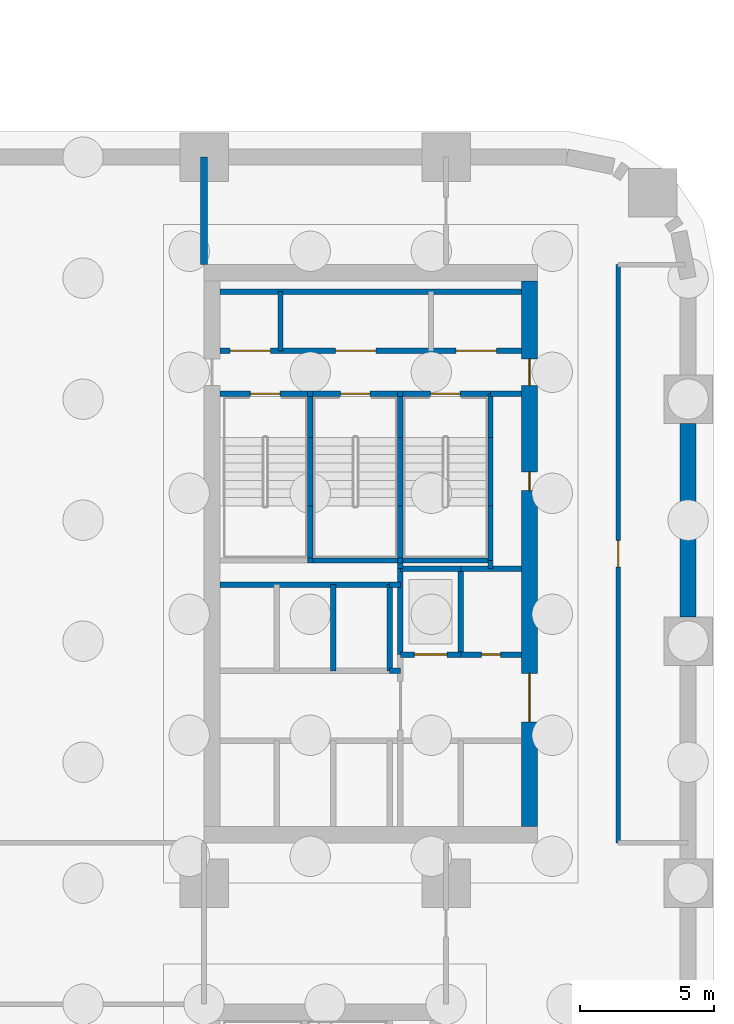
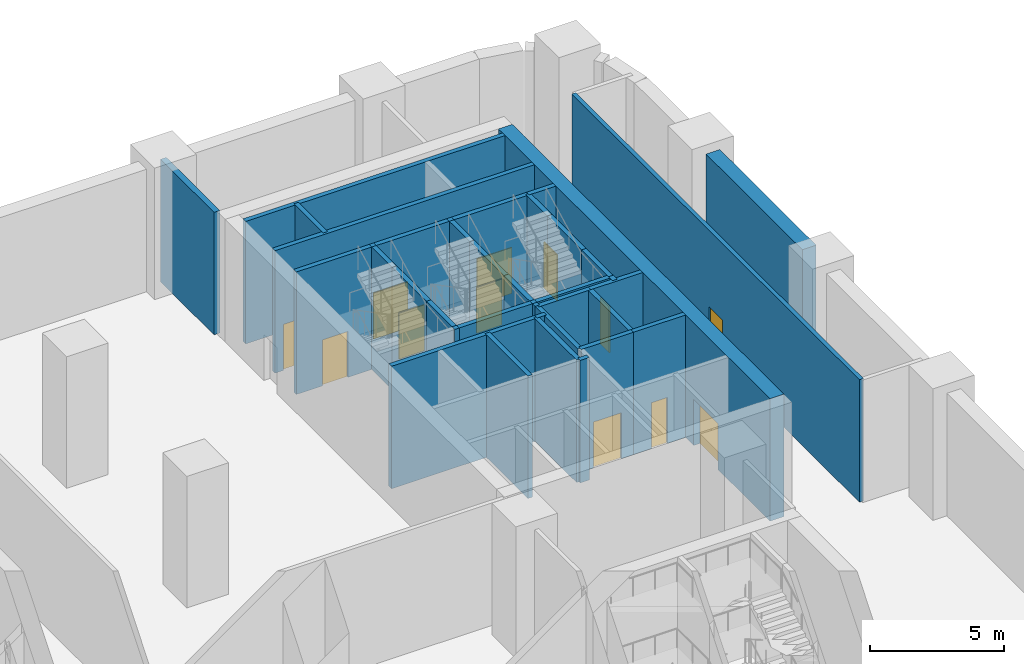
# One storey, part 13 of 26: 39 walls, 12 doors, 12 openings.
"""IFC4 building model written with IfcOpenShell, lengths in metres."""

import ifcopenshell
import ifcopenshell.guid

model = None  # the IFC model being written
_history = None  # IfcOwnerHistory: only IFC2X3 demands one
_inside = {}  # id of a spatial element -> (the spatial element, [elements in it])
_under = {}  # id of a project, library or spatial element -> (it, [spatial elements below it])
_declared = {}  # id of a project -> (the project, [libraries it declares])
_typed = {}  # id of a type object -> (the type object, [elements of that type])
_made_of = {}  # id of a material, layer set ... -> (it, [elements and type objects made of it])


def new_model(schema):
    """Start an empty IFC model of exactly this schema.

    Asked for "IFC4X3", IfcOpenShell would pick the latest addendum, in which some entities
    have other attributes; the version numbers below select the first issue.
    IFC2X3 requires an IfcOwnerHistory on every rooted entity: one is made here for all.
    """
    global model, _history
    if schema == "IFC4X3":
        model = ifcopenshell.file(schema_version=(4, 3, 0, 0))
    else:
        model = ifcopenshell.file(schema=schema)
    _inside.clear()
    _under.clear()
    _declared.clear()
    _typed.clear()
    _made_of.clear()
    _history = None
    if model.schema == "IFC2X3":
        org = make("IfcOrganization", Name="unknown")
        user = make(
            "IfcPersonAndOrganization",
            ThePerson=make("IfcPerson", FamilyName="unknown"),
            TheOrganization=org,
        )
        app = make(
            "IfcApplication",
            ApplicationDeveloper=org,
            Version="unknown",
            ApplicationFullName="unknown",
            ApplicationIdentifier="unknown",
        )
        _history = make(
            "IfcOwnerHistory",
            OwningUser=user,
            OwningApplication=app,
            ChangeAction="ADDED",
            CreationDate=0,
        )
    return model


def make(cls, **values):
    """One entity of the class cls with the attributes given. An attribute that is None is left unset."""
    return model.create_entity(
        cls, **{name: value for name, value in values.items() if value is not None}
    )


def rooted(cls, **values):
    """An entity with a GlobalId (a new one), such as an element, a storey or a relation."""
    return make(cls, GlobalId=ifcopenshell.guid.new(), OwnerHistory=_history, **values)


def si_unit(unit_type, name, prefix=None):
    """IfcSIUnit, for example si_unit("LENGTHUNIT", "METRE", prefix="MILLI")."""
    return make("IfcSIUnit", UnitType=unit_type, Prefix=prefix, Name=name)


def assignment(units):
    """IfcUnitAssignment: the units of a project."""
    return None if units is None else make("IfcUnitAssignment", Units=units)


def point(xyz):
    """IfcCartesianPoint."""
    return None if xyz is None else make("IfcCartesianPoint", Coordinates=xyz)


def direction(xyz):
    """IfcDirection."""
    return None if xyz is None else make("IfcDirection", DirectionRatios=xyz)


def frame(location, z_axis=None, x_axis=None):
    """IfcAxis2Placement3D, a coordinate frame: its origin and axes. An axis left out is left unset."""
    return make(
        "IfcAxis2Placement3D",
        Location=point(location),
        Axis=direction(z_axis),
        RefDirection=direction(x_axis),
    )


def frame_2d(location, x_axis=None):
    """IfcAxis2Placement2D, a coordinate frame in the plane: its origin and x axis."""
    return make(
        "IfcAxis2Placement2D", Location=point(location), RefDirection=direction(x_axis)
    )


def origin():
    """The frame at (0, 0, 0) with its axes left unset."""
    return frame((0.0, 0.0, 0.0))


def place(relative_to, where):
    """IfcLocalPlacement: puts the frame where relative to a parent placement (None: the world)."""
    return make(
        "IfcLocalPlacement", PlacementRelTo=relative_to, RelativePlacement=where
    )


def context(
    kind, dimensions, precision=None, world=None, true_north=None, identifier=None
):
    """IfcGeometricRepresentationContext, for example the 3D "Model" context."""
    return make(
        "IfcGeometricRepresentationContext",
        ContextIdentifier=identifier,
        ContextType=kind,
        CoordinateSpaceDimension=dimensions,
        Precision=precision,
        WorldCoordinateSystem=world,
        TrueNorth=true_north,
    )


def subcontext(parent, identifier, kind, view, scale=None):
    """IfcGeometricRepresentationSubContext, for example "Body" below "Model"."""
    return make(
        "IfcGeometricRepresentationSubContext",
        ContextIdentifier=identifier,
        ContextType=kind,
        ParentContext=parent,
        TargetScale=scale,
        TargetView=view,
    )


def project(units=None, contexts=None):
    """IfcProject with its units and contexts."""
    return rooted(
        "IfcProject",
        Name="project",
        RepresentationContexts=contexts,
        UnitsInContext=assignment(units),
    )


def spatial(cls, under=None, at=None, **own):
    """A site, building, storey or space (cls), placed at a placement, below another one or the project."""
    s = rooted(cls, ObjectPlacement=at, **own)
    if under is not None:
        _under.setdefault(under.id(), (under, []))[1].append(s)
    return s


def profile(cls, at=None, kind="AREA", **sizes):
    """A parametric profile (cls). Its sizes go by their IFC names, for example OverallWidth=200.0."""
    return make(cls, ProfileType=kind, Position=at, **sizes)


def rectangle(**sizes):
    """IfcRectangleProfileDef."""
    return profile("IfcRectangleProfileDef", **sizes)


def extrude(swept, where, along, depth):
    """IfcExtrudedAreaSolid: the profile swept, set in the frame where, extruded along a direction by depth."""
    return make(
        "IfcExtrudedAreaSolid",
        SweptArea=swept,
        Position=where,
        ExtrudedDirection=direction(along),
        Depth=depth,
    )


def shape(context_of_items, identifier, shape_type, items):
    """IfcShapeRepresentation: the items that make up one representation, for example the "Body"."""
    return make(
        "IfcShapeRepresentation",
        ContextOfItems=context_of_items,
        RepresentationIdentifier=identifier,
        RepresentationType=shape_type,
        Items=items,
    )


def material(Name=None, Category=None):
    """IfcMaterial."""
    return make("IfcMaterial", Name=Name, Category=Category)


def layer(
    of_material, thickness, ventilated=None, Name=None, Category=None, Priority=None
):
    """IfcMaterialLayer: one layer of a wall or slab, of a material (None: an air gap)."""
    return make(
        "IfcMaterialLayer",
        Material=of_material,
        LayerThickness=thickness,
        IsVentilated=ventilated,
        Name=Name,
        Category=Category,
        Priority=Priority,
    )


def layer_set(layers, Name=None):
    """IfcMaterialLayerSet."""
    return make("IfcMaterialLayerSet", MaterialLayers=layers, LayerSetName=Name)


def made_of(thing, what):
    """Note that an element or type object is made of a material, layer set ...; save() writes the relation."""
    if what is not None:
        _made_of.setdefault(what.id(), (what, []))[1].append(thing)
    return thing


def type_object(cls, material=None, **own):
    """A type object (cls), such as IfcWallType, which elements share."""
    return made_of(rooted(cls, **own), material)


def element(
    cls,
    number,
    at=None,
    inside=None,
    cuts=None,
    type_object=None,
    material=None,
    context=None,
    identifier="Body",
    shape_type=None,
    held_by="IfcProductDefinitionShape",
    body=None,
    shapes=None,
    **own,
):
    """One element of the class cls, such as IfcWall. Its Tag is "e" and its number.

    at: its placement. inside: the storey or other place that contains it. cuts: it is an
    opening in that element (IfcRelVoidsElement). A single representation is given by context,
    identifier, shape_type and body (its items); several are given by shapes. held_by: the class
    of the entity that holds the representations. save() writes the other relations.
    """
    e = rooted(cls, Tag="e%d" % number, ObjectPlacement=at, **own)
    if body is not None:
        shapes = [shape(context, identifier, shape_type, body)]
    if shapes is not None:
        e.Representation = make(held_by, Representations=shapes)
    if inside is not None:
        _inside.setdefault(inside.id(), (inside, []))[1].append(e)
    if cuts is not None:
        rooted(
            "IfcRelVoidsElement", RelatingBuildingElement=cuts, RelatedOpeningElement=e
        )
    if type_object is not None:
        _typed.setdefault(type_object.id(), (type_object, []))[1].append(e)
    return made_of(e, material)


def fill(opening, filler):
    """IfcRelFillsElement: the door or window that sits in an opening."""
    return rooted(
        "IfcRelFillsElement",
        RelatingOpeningElement=opening,
        RelatedBuildingElement=filler,
    )


def aggregate(whole, parts):
    """IfcRelAggregates: a whole, such as a stair, and the parts it consists of."""
    return rooted("IfcRelAggregates", RelatingObject=whole, RelatedObjects=parts)


def save(model, path):
    """Write the relations noted so far, then the file.

    IfcRelAggregates (storeys below a building ...), IfcRelContainedInSpatialStructure (elements
    in a storey), IfcRelDefinesByType, IfcRelAssociatesMaterial and IfcRelDeclares: one each for
    every whole, place, type object, material and project.
    """
    for whole, parts in _under.values():
        aggregate(whole, parts)
    for where, things in _inside.values():
        rooted(
            "IfcRelContainedInSpatialStructure",
            RelatedElements=things,
            RelatingStructure=where,
        )
    for kind, things in _typed.values():
        rooted("IfcRelDefinesByType", RelatedObjects=things, RelatingType=kind)
    for what, things in _made_of.values():
        rooted("IfcRelAssociatesMaterial", RelatedObjects=things, RelatingMaterial=what)
    for by, libraries in _declared.values():
        rooted("IfcRelDeclares", RelatingContext=by, RelatedDefinitions=libraries)
    model.write(path)


model = new_model("IFC4")

# Units and contexts
model_context = context("Model", 3, precision=1e-05, world=origin(), true_north=direction((0.0, 1.0)))
body_context = subcontext(model_context, "Body", "Model", "MODEL_VIEW")
ifc_project = project(units=[si_unit("LENGTHUNIT", "METRE"), si_unit("AREAUNIT", "SQUARE_METRE"), si_unit("VOLUMEUNIT", "CUBIC_METRE"), si_unit("PLANEANGLEUNIT", "RADIAN"), si_unit("MASSUNIT", "GRAM", prefix="KILO")], contexts=[model_context])

# Site, building, storey
site_placement = place(None, origin())
site = spatial("IfcSite", under=ifc_project, at=site_placement, CompositionType="ELEMENT")
building_placement = place(site_placement, origin())
building = spatial("IfcBuilding", under=site, at=building_placement, Name="Tessera Arch", CompositionType="ELEMENT")
storey_placement = place(building_placement, frame((0.0, 0.0, -6.0)))
storey = spatial("IfcBuildingStorey", under=building, at=storey_placement, Name="B1", CompositionType="ELEMENT", Elevation=-6.0)

# Walls
ifc_material_1 = material(Name="Concrete C50/60", Category="concrete")
ifc_layer_1 = layer(ifc_material_1, 0.60009765625)
ifc_layer_set_1 = layer_set([ifc_layer_1], Name="Basement wall 600 Concrete C50/60")
wall_type_1 = type_object("IfcWallType", Name="Basement wall 600 Concrete C50/60", PredefinedType="SOLIDWALL", material=ifc_layer_set_1)
wall_1_placement = place(storey_placement, frame((54.0, 36.89990234375, 0.0), z_axis=(0.0, 0.0, 1.0), x_axis=(0.0, 1.0, 0.0)))
element("IfcWall", 1, at=wall_1_placement, inside=storey, type_object=wall_type_1, Name="Basement wall B1 5", PredefinedType="SOLIDWALL", context=body_context, shape_type="SweptSolid", body=[
    extrude(rectangle(XDim=7.2001953125, YDim=0.60009765625, at=frame_2d((3.60009765625, 0.0))), origin(), (0.0, 0.0, 1.0), 5.590087890625),
])
ifc_material_2 = material(Name="Gypsum board on steel stud", Category="steel")
ifc_layer_2 = layer(ifc_material_2, 0.125)
ifc_layer_set_2 = layer_set([ifc_layer_2], Name="Core partition 125 EI 60")
wall_type_2 = type_object("IfcWallType", Name="Core partition 125 EI 60", PredefinedType="PARTITIONING", material=ifc_layer_set_2)
wall_2_placement = place(storey_placement, frame((38.840087890625, 46.800048828125, 0.0), z_axis=(0.0, 0.0, 1.0), x_axis=(0.0, 1.0, 0.0)))
element("IfcWall", 2, at=wall_2_placement, inside=storey, type_object=wall_type_2, Name="B1 C1 partition wall 3", PredefinedType="PARTITIONING", context=body_context, shape_type="SweptSolid", body=[
    extrude(rectangle(XDim=2.199951171875, YDim=0.199951171875, at=frame_2d((1.10009765625, 0.0))), origin(), (0.0, 0.0, 1.0), 5.590087890625),
])
wall_3_placement = place(storey_placement, frame((42.89990234375, 34.89990234375, 0.0), z_axis=(0.0, 0.0, 1.0), x_axis=(1.0, 0.0, 0.0)))
element("IfcWall", 3, at=wall_3_placement, inside=storey, type_object=wall_type_2, Name="B1 C1 partition wall 26", PredefinedType="PARTITIONING", context=body_context, shape_type="SweptSolid", body=[
    extrude(rectangle(XDim=0.400146484375, YDim=0.199951171875, at=frame_2d((0.2001953125, 0.0))), origin(), (0.0, 0.0, 1.0), 5.590087890625),
])

# Wall, openings, doors
wall_4_placement = place(storey_placement, frame((36.60009765625, 46.800048828125, 0.0), z_axis=(0.0, 0.0, 1.0), x_axis=(1.0, 0.0, 0.0)))
wall_4 = element("IfcWall", 4, at=wall_4_placement, inside=storey, type_object=wall_type_2, Name="B1 C1 partition wall 45", PredefinedType="PARTITIONING", context=body_context, shape_type="SweptSolid", body=[
    extrude(rectangle(XDim=11.199951171875, YDim=0.199951171875, at=frame_2d((5.60009765625, 0.0))), origin(), (0.0, 0.0, 1.0), 5.590087890625),
])
opening_1_placement = place(wall_4_placement, frame((0.3701171875, 0.0, 0.0)))
opening_1 = element("IfcOpeningElement", 5, at=opening_1_placement, cuts=wall_4, Name="Opening B1-C11", PredefinedType="OPENING", context=body_context, shape_type="SweptSolid", body=[
    extrude(rectangle(XDim=1.5, YDim=2.10009765625, at=frame_2d((0.75, 1.050048828125))), frame((0.0, 0.10986328125, 0.0), z_axis=(0.0, -1.0, 0.0), x_axis=(1.0, 0.0, 0.0)), (0.0, 0.0, 1.0), 0.219970703125),
])
opening_2_placement = place(wall_4_placement, frame((4.2900390625, 0.0, 0.0)))
opening_2 = element("IfcOpeningElement", 6, at=opening_2_placement, cuts=wall_4, Name="Opening B1-C12", PredefinedType="OPENING", context=body_context, shape_type="SweptSolid", body=[
    extrude(rectangle(XDim=1.5, YDim=2.10009765625, at=frame_2d((0.75, 1.050048828125))), frame((0.0, 0.10986328125, 0.0), z_axis=(0.0, -1.0, 0.0), x_axis=(1.0, 0.0, 0.0)), (0.0, 0.0, 1.0), 0.219970703125),
])
opening_3_placement = place(wall_4_placement, frame((8.77001953125, 0.0, 0.0)))
opening_3 = element("IfcOpeningElement", 7, at=opening_3_placement, cuts=wall_4, Name="Opening B1-C13", PredefinedType="OPENING", context=body_context, shape_type="SweptSolid", body=[
    extrude(rectangle(XDim=1.5, YDim=2.10009765625, at=frame_2d((0.75, 1.050048828125))), frame((0.0, 0.10986328125, 0.0), z_axis=(0.0, -1.0, 0.0), x_axis=(1.0, 0.0, 0.0)), (0.0, 0.0, 1.0), 0.219970703125),
])
ifc_material_3 = material(Name="Steel door leaf", Category="steel")
door_type_1 = type_object("IfcDoorType", Name="Plant door FD60 1500 x 2100", OperationType="DOUBLE_DOOR_SINGLE_SWING", PredefinedType="DOOR", material=ifc_material_3)
door_1_placement = place(opening_1_placement, origin())
door_1 = element("IfcDoor", 8, at=door_1_placement, inside=storey, type_object=door_type_1, Name="B1 C1 door 11 C11 type D08", OperationType="DOUBLE_DOOR_SINGLE_SWING", OverallHeight=2.10009765625, OverallWidth=1.5, PredefinedType="DOOR", context=body_context, shape_type="SweptSolid", body=[
    extrude(rectangle(XDim=1.5, YDim=2.10009765625, at=frame_2d((0.75, 1.050048828125))), frame((0.0, 0.02490234375, 0.0), z_axis=(0.0, -1.0, 0.0), x_axis=(1.0, 0.0, 0.0)), (0.0, 0.0, 1.0), 0.050048828125),
])
fill(opening_1, door_1)
door_2_placement = place(opening_2_placement, origin())
door_2 = element("IfcDoor", 9, at=door_2_placement, inside=storey, type_object=door_type_1, Name="B1 C1 door 12 C12 type D08", OperationType="DOUBLE_DOOR_SINGLE_SWING", OverallHeight=2.10009765625, OverallWidth=1.5, PredefinedType="DOOR", context=body_context, shape_type="SweptSolid", body=[
    extrude(rectangle(XDim=1.5, YDim=2.10009765625, at=frame_2d((0.75, 1.050048828125))), frame((0.0, 0.02490234375, 0.0), z_axis=(0.0, -1.0, 0.0), x_axis=(1.0, 0.0, 0.0)), (0.0, 0.0, 1.0), 0.050048828125),
])
fill(opening_2, door_2)
door_3_placement = place(opening_3_placement, origin())
door_3 = element("IfcDoor", 10, at=door_3_placement, inside=storey, type_object=door_type_1, Name="B1 C1 door 13 C13 type D08", OperationType="DOUBLE_DOOR_SINGLE_SWING", OverallHeight=2.10009765625, OverallWidth=1.5, PredefinedType="DOOR", context=body_context, shape_type="SweptSolid", body=[
    extrude(rectangle(XDim=1.5, YDim=2.10009765625, at=frame_2d((0.75, 1.050048828125))), frame((0.0, 0.02490234375, 0.0), z_axis=(0.0, -1.0, 0.0), x_axis=(1.0, 0.0, 0.0)), (0.0, 0.0, 1.0), 0.050048828125),
])
fill(opening_3, door_3)

# Wall
wall_5_placement = place(storey_placement, frame((36.60009765625, 49.0, 0.0), z_axis=(0.0, 0.0, 1.0), x_axis=(1.0, 0.0, 0.0)))
element("IfcWall", 11, at=wall_5_placement, inside=storey, type_object=wall_type_2, Name="B1 C1 partition wall 46", PredefinedType="PARTITIONING", context=body_context, shape_type="SweptSolid", body=[
    extrude(rectangle(XDim=11.199951171875, YDim=0.199951171875, at=frame_2d((5.60009765625, 0.0))), origin(), (0.0, 0.0, 1.0), 5.590087890625),
])

# Wall, openings, doors
ifc_material_4 = material(Name="Concrete C70/85", Category="concrete")
ifc_layer_3 = layer(ifc_material_4, 0.60009765625)
ifc_layer_set_3 = layer_set([ifc_layer_3], Name="Core shell wall 600 C70-85")
wall_type_3 = type_object("IfcWallType", Name="Core shell wall 600 C70-85", PredefinedType="SHEAR", material=ifc_layer_set_3)
wall_6_placement = place(storey_placement, frame((48.10009765625, 29.10009765625, 0.0), z_axis=(0.0, 0.0, 1.0), x_axis=(0.0, 1.0, 0.0)))
wall_6 = element("IfcWall", 12, at=wall_6_placement, inside=storey, type_object=wall_type_3, Name="B1 C1 core wall E", PredefinedType="SHEAR", context=body_context, shape_type="SweptSolid", body=[
    extrude(rectangle(XDim=20.2998046875, YDim=0.60009765625, at=frame_2d((10.14990234375, 0.0))), origin(), (0.0, 0.0, 1.0), 5.590087890625),
])
opening_4_placement = place(wall_6_placement, frame((12.5, 0.0, 0.0)))
opening_4 = element("IfcOpeningElement", 13, at=opening_4_placement, cuts=wall_6, Name="Opening B1-C06", PredefinedType="OPENING", context=body_context, shape_type="SweptSolid", body=[
    extrude(rectangle(XDim=0.699951171875, YDim=2.10009765625, at=frame_2d((0.35009765625, 1.050048828125))), frame((0.0, 0.31005859375, 0.0), z_axis=(0.0, -1.0, 0.0), x_axis=(1.0, 0.0, 0.0)), (0.0, 0.0, 1.0), 0.6201171875),
])
opening_5_placement = place(wall_6_placement, frame((3.89990234375, 0.0, 0.0)))
opening_5 = element("IfcOpeningElement", 14, at=opening_5_placement, cuts=wall_6, Name="Opening B1-C07", PredefinedType="OPENING", context=body_context, shape_type="SweptSolid", body=[
    extrude(rectangle(XDim=1.800048828125, YDim=2.10009765625, at=frame_2d((0.89990234375, 1.050048828125))), frame((0.0, 0.31005859375, 0.0), z_axis=(0.0, -1.0, 0.0), x_axis=(1.0, 0.0, 0.0)), (0.0, 0.0, 1.0), 0.6201171875),
])
opening_6_placement = place(wall_6_placement, frame((16.39990234375, 0.0, 0.0)))
opening_6 = element("IfcOpeningElement", 15, at=opening_6_placement, cuts=wall_6, Name="Opening B1-C09", PredefinedType="OPENING", context=body_context, shape_type="SweptSolid", body=[
    extrude(rectangle(XDim=1.0, YDim=2.10009765625, at=frame_2d((0.5, 1.050048828125))), frame((0.0, 0.31005859375, 0.0), z_axis=(0.0, -1.0, 0.0), x_axis=(1.0, 0.0, 0.0)), (0.0, 0.0, 1.0), 0.6201171875),
])
ifc_material_5 = material(Name="Steel door leaf", Category="steel")
door_type_2 = type_object("IfcDoorType", Name="Corridor door FD60 1000 x 2100", OperationType="SINGLE_SWING_LEFT", PredefinedType="DOOR", material=ifc_material_5)
door_4_placement = place(opening_6_placement, origin())
door_4 = element("IfcDoor", 16, at=door_4_placement, inside=storey, type_object=door_type_2, Name="B1 C1 door 9 C09 type D12", OperationType="SINGLE_SWING_RIGHT", OverallHeight=2.10009765625, OverallWidth=1.0, PredefinedType="DOOR", context=body_context, shape_type="SweptSolid", body=[
    extrude(rectangle(XDim=1.0, YDim=2.10009765625, at=frame_2d((0.5, 1.050048828125))), frame((0.0, 0.02490234375, 0.0), z_axis=(0.0, -1.0, 0.0), x_axis=(1.0, 0.0, 0.0)), (0.0, 0.0, 1.0), 0.050048828125),
])
fill(opening_6, door_4)
ifc_material_6 = material(Name="Glazed steel door leaf", Category="steel")
door_type_3 = type_object("IfcDoorType", Name="Lobby double door FD60 1800 x 2100", OperationType="DOUBLE_DOOR_SINGLE_SWING", PredefinedType="DOOR", material=ifc_material_6)
door_5_placement = place(opening_5_placement, origin())
door_5 = element("IfcDoor", 17, at=door_5_placement, inside=storey, type_object=door_type_3, Name="B1 C1 door 7 C07 type D19", OperationType="DOUBLE_DOOR_SINGLE_SWING", OverallHeight=2.10009765625, OverallWidth=1.800048828125, PredefinedType="DOOR", context=body_context, shape_type="SweptSolid", body=[
    extrude(rectangle(XDim=1.800048828125, YDim=2.10009765625, at=frame_2d((0.89990234375, 1.050048828125))), frame((0.0, 0.02490234375, 0.0), z_axis=(0.0, -1.0, 0.0), x_axis=(1.0, 0.0, 0.0)), (0.0, 0.0, 1.0), 0.050048828125),
])
fill(opening_5, door_5)
ifc_material_7 = material(Name="Steel door leaf", Category="steel")
door_type_4 = type_object("IfcDoorType", Name="Service shaft door FD60 700 x 2100", OperationType="SINGLE_SWING_LEFT", PredefinedType="DOOR", material=ifc_material_7)
door_6_placement = place(opening_4_placement, origin())
door_6 = element("IfcDoor", 18, at=door_6_placement, inside=storey, type_object=door_type_4, Name="B1 C1 door 6 C06 type D07", OperationType="SINGLE_SWING_RIGHT", OverallHeight=2.10009765625, OverallWidth=0.699951171875, PredefinedType="DOOR", context=body_context, shape_type="SweptSolid", body=[
    extrude(rectangle(XDim=0.699951171875, YDim=2.10009765625, at=frame_2d((0.35009765625, 1.050048828125))), frame((0.0, 0.02490234375, 0.0), z_axis=(0.0, -1.0, 0.0), x_axis=(1.0, 0.0, 0.0)), (0.0, 0.0, 1.0), 0.050048828125),
])
fill(opening_4, door_6)

# Wall, opening, door
ifc_material_8 = material(Name="Gypsum board on deep steel stud with mineral wool", Category="steel")
ifc_layer_4 = layer(ifc_material_8, 0.175048828125)
ifc_layer_set_4 = layer_set([ifc_layer_4], Name="Corridor wall 175 EI 60")
wall_type_4 = type_object("IfcWallType", Name="Corridor wall 175 EI 60", PredefinedType="PARTITIONING", material=ifc_layer_set_4)
wall_7_placement = place(storey_placement, frame((51.39990234375, 28.5, 0.0), z_axis=(0.0, 0.0, 1.0), x_axis=(0.0, 1.0, 0.0)))
wall_7 = element("IfcWall", 19, at=wall_7_placement, inside=storey, type_object=wall_type_4, Name="B1 partition 26", PredefinedType="PARTITIONING", context=body_context, shape_type="SweptSolid", body=[
    extrude(rectangle(XDim=21.5, YDim=0.175048828125, at=frame_2d((10.75, 0.0))), origin(), (0.0, 0.0, 1.0), 5.590087890625),
])
opening_7_placement = place(wall_7_placement, frame((10.25, 0.0, 0.0)))
opening_7 = element("IfcOpeningElement", 20, at=opening_7_placement, cuts=wall_7, Name="Opening B1-D008", PredefinedType="OPENING", context=body_context, shape_type="SweptSolid", body=[
    extrude(rectangle(XDim=1.0, YDim=2.10009765625, at=frame_2d((0.5, 1.050048828125))), frame((0.0, 0.097412109375, 0.0), z_axis=(0.0, -1.0, 0.0), x_axis=(1.0, 0.0, 0.0)), (0.0, 0.0, 1.0), 0.195068359375),
])
ifc_material_9 = material(Name="Fire-rated door leaf")
door_type_5 = type_object("IfcDoorType", Name="Entrance door FD60 1000 x 2100", OperationType="SINGLE_SWING_LEFT", PredefinedType="DOOR", material=ifc_material_9)
door_7_placement = place(opening_7_placement, origin())
door_7 = element("IfcDoor", 21, at=door_7_placement, inside=storey, type_object=door_type_5, Name="B1 door D008 type D16", OperationType="SINGLE_SWING_LEFT", OverallHeight=2.10009765625, OverallWidth=1.0, PredefinedType="DOOR", context=body_context, shape_type="SweptSolid", body=[
    extrude(rectangle(XDim=1.0, YDim=2.10009765625, at=frame_2d((0.5, 1.050048828125))), frame((0.0, 0.02490234375, 0.0), z_axis=(0.0, -1.0, 0.0), x_axis=(1.0, 0.0, 0.0)), (0.0, 0.0, 1.0), 0.050048828125),
])
fill(opening_7, door_7)

# Walls
ifc_material_10 = material(Name="Concrete C40/50", Category="concrete")
ifc_layer_5 = layer(ifc_material_10, 0.199951171875)
ifc_layer_set_5 = layer_set([ifc_layer_5], Name="Lift shaft wall 200 REI 180")
wall_type_5 = type_object("IfcWallType", Name="Lift shaft wall 200 REI 180", PredefinedType="SOLIDWALL", material=ifc_layer_set_5)
for number, where, z_axis, x_axis, name in (
    (22, (40.800048828125, 34.89990234375, 0.0), (0.0, 0.0, 1.0), (0.0, 1.0, 0.0), "B1 C1 shaft wall 8"),
    (23, (42.89990234375, 34.89990234375, 0.0), (0.0, 0.0, 1.0), (0.0, 1.0, 0.0), "B1 C1 shaft wall 10"),
):
    element("IfcWall", number, at=place(storey_placement, frame(where, z_axis=z_axis, x_axis=x_axis)), inside=storey, type_object=wall_type_5, Name=name, PredefinedType="SOLIDWALL", context=body_context, shape_type="SweptSolid", body=[
        extrude(rectangle(XDim=3.2001953125, YDim=0.199951171875, at=frame_2d((1.60009765625, 0.0))), origin(), (0.0, 0.0, 1.0), 5.590087890625),
    ])
for number, where, z_axis, x_axis, name in (
    (24, (43.300048828125, 35.5, 0.0), (0.0, 0.0, 1.0), (0.0, 1.0, 0.0), "B1 C1 shaft wall 12"),
    (25, (45.550048828125, 35.5, 0.0), (0.0, 0.0, 1.0), (0.0, 1.0, 0.0), "B1 C1 shaft wall 20"),
):
    element("IfcWall", number, at=place(storey_placement, frame(where, z_axis=z_axis, x_axis=x_axis)), inside=storey, type_object=wall_type_5, Name=name, PredefinedType="SOLIDWALL", context=body_context, shape_type="SweptSolid", body=[
        extrude(rectangle(XDim=3.199951171875, YDim=0.199951171875, at=frame_2d((1.60009765625, 0.0))), origin(), (0.0, 0.0, 1.0), 5.590087890625),
    ])

# Wall, opening, door
wall_8_placement = place(storey_placement, frame((43.300048828125, 35.5, 0.0), z_axis=(0.0, 0.0, 1.0), x_axis=(1.0, 0.0, 0.0)))
wall_8 = element("IfcWall", 26, at=wall_8_placement, inside=storey, type_object=wall_type_5, Name="B1 C1 shaft wall 28", PredefinedType="SOLIDWALL", context=body_context, shape_type="SweptSolid", body=[
    extrude(rectangle(XDim=2.25, YDim=0.199951171875, at=frame_2d((1.125, 0.0))), origin(), (0.0, 0.0, 1.0), 5.590087890625),
])
opening_8_placement = place(wall_8_placement, frame((0.52490234375, 0.0, 0.0)))
opening_8 = element("IfcOpeningElement", 27, at=opening_8_placement, cuts=wall_8, Name="Opening B1-C01", PredefinedType="OPENING", context=body_context, shape_type="SweptSolid", body=[
    extrude(rectangle(XDim=1.199951171875, YDim=2.10009765625, at=frame_2d((0.60009765625, 1.050048828125))), frame((0.0, 0.10986328125, 0.0), z_axis=(0.0, -1.0, 0.0), x_axis=(1.0, 0.0, 0.0)), (0.0, 0.0, 1.0), 0.219970703125),
])
ifc_material_11 = material(Name="Stainless steel AISI 304", Category="steel")
door_type_6 = type_object("IfcDoorType", Name="Sliding landing door 1200 x 2100", OperationType="SLIDING_TO_LEFT", PredefinedType="DOOR", material=ifc_material_11)
door_8_placement = place(opening_8_placement, origin())
door_8 = element("IfcDoor", 28, at=door_8_placement, inside=storey, type_object=door_type_6, Name="B1 SV2 lift landing door C01 type LD", OperationType="SLIDING_TO_LEFT", OverallHeight=2.10009765625, OverallWidth=1.199951171875, PredefinedType="DOOR", context=body_context, shape_type="SweptSolid", body=[
    extrude(rectangle(XDim=1.199951171875, YDim=2.10009765625, at=frame_2d((0.60009765625, 1.050048828125))), frame((0.0, 0.02490234375, 0.0), z_axis=(0.0, -1.0, 0.0), x_axis=(1.0, 0.0, 0.0)), (0.0, 0.0, 1.0), 0.050048828125),
])
fill(opening_8, door_8)

# Walls
wall_9_placement = place(storey_placement, frame((36.60009765625, 38.10009765625, 0.0), z_axis=(0.0, 0.0, 1.0), x_axis=(1.0, 0.0, 0.0)))
element("IfcWall", 29, at=wall_9_placement, inside=storey, type_object=wall_type_5, Name="B1 C1 shaft wall 30", PredefinedType="SOLIDWALL", context=body_context, shape_type="SweptSolid", body=[
    extrude(rectangle(XDim=6.2998046875, YDim=0.199951171875, at=frame_2d((3.14990234375, 0.0))), origin(), (0.0, 0.0, 1.0), 5.590087890625),
])
wall_10_placement = place(storey_placement, frame((43.300048828125, 38.699951171875, 0.0), z_axis=(0.0, 0.0, 1.0), x_axis=(1.0, 0.0, 0.0)))
element("IfcWall", 30, at=wall_10_placement, inside=storey, type_object=wall_type_5, Name="B1 C1 shaft wall 32", PredefinedType="SOLIDWALL", context=body_context, shape_type="SweptSolid", body=[
    extrude(rectangle(XDim=2.25, YDim=0.199951171875, at=frame_2d((1.125, 0.0))), origin(), (0.0, 0.0, 1.0), 5.590087890625),
])
ifc_material_12 = material(Name="Double gypsum board on twin steel stud with acoustic mineral wool", Category="steel")
ifc_layer_6 = layer(ifc_material_12, 0.25)
ifc_layer_set_6 = layer_set([ifc_layer_6], Name="Party wall 250 EI 60")
wall_type_6 = type_object("IfcWallType", Name="Party wall 250 EI 60", PredefinedType="PARTITIONING", material=ifc_layer_set_6)
wall_11_placement = place(storey_placement, frame((36.0, 50.0, 0.0), z_axis=(0.0, 0.0, 1.0), x_axis=(0.0, 1.0, 0.0)))
element("IfcWall", 31, at=wall_11_placement, inside=storey, type_object=wall_type_6, Name="B1 partition 37", PredefinedType="PARTITIONING", context=body_context, shape_type="SweptSolid", body=[
    extrude(rectangle(XDim=4.0, YDim=0.25, at=frame_2d((2.0, 0.0))), origin(), (0.0, 0.0, 1.0), 5.590087890625),
])
ifc_material_13 = material(Name="Concrete C40/50", Category="concrete")
ifc_layer_7 = layer(ifc_material_13, 0.199951171875)
ifc_layer_set_7 = layer_set([ifc_layer_7], Name="Shaft wall 200 EI 120")
wall_type_7 = type_object("IfcWallType", Name="Shaft wall 200 EI 120", PredefinedType="SOLIDWALL", material=ifc_layer_set_7)
for number, where, z_axis, x_axis, name in (
    (32, (43.300048828125, 38.699951171875, 0.0), (0.0, 0.0, 1.0), (0.0, 1.0, 0.0), "B1 C1 shaft wall 14"),
    (33, (46.64990234375, 38.699951171875, 0.0), (0.0, 0.0, 1.0), (0.0, 1.0, 0.0), "B1 C1 shaft wall 21"),
):
    element("IfcWall", number, at=place(storey_placement, frame(where, z_axis=z_axis, x_axis=x_axis)), inside=storey, type_object=wall_type_7, Name=name, PredefinedType="SOLIDWALL", context=body_context, shape_type="SweptSolid", body=[
        extrude(rectangle(XDim=0.300048828125, YDim=0.199951171875, at=frame_2d((0.14990234375, 0.0))), origin(), (0.0, 0.0, 1.0), 5.590087890625),
    ])

# Wall, opening, door
wall_12_placement = place(storey_placement, frame((45.550048828125, 35.5, 0.0), z_axis=(0.0, 0.0, 1.0), x_axis=(1.0, 0.0, 0.0)))
wall_12 = element("IfcWall", 34, at=wall_12_placement, inside=storey, type_object=wall_type_7, Name="B1 C1 shaft wall 29", PredefinedType="SOLIDWALL", context=body_context, shape_type="SweptSolid", body=[
    extrude(rectangle(XDim=2.25, YDim=0.199951171875, at=frame_2d((1.125, 0.0))), origin(), (0.0, 0.0, 1.0), 5.590087890625),
])
opening_9_placement = place(wall_12_placement, frame((0.77490234375, 0.0, 0.0)))
opening_9 = element("IfcOpeningElement", 35, at=opening_9_placement, cuts=wall_12, Name="Opening B1-C08", PredefinedType="OPENING", context=body_context, shape_type="SweptSolid", body=[
    extrude(rectangle(XDim=0.699951171875, YDim=2.10009765625, at=frame_2d((0.35009765625, 1.050048828125))), frame((0.0, 0.10986328125, 0.0), z_axis=(0.0, -1.0, 0.0), x_axis=(1.0, 0.0, 0.0)), (0.0, 0.0, 1.0), 0.219970703125),
])
door_9_placement = place(opening_9_placement, origin())
door_9 = element("IfcDoor", 36, at=door_9_placement, inside=storey, type_object=door_type_4, Name="B1 C1 door 8 C08 type D07", OperationType="SINGLE_SWING_LEFT", OverallHeight=2.10009765625, OverallWidth=0.699951171875, PredefinedType="DOOR", context=body_context, shape_type="SweptSolid", body=[
    extrude(rectangle(XDim=0.699951171875, YDim=2.10009765625, at=frame_2d((0.35009765625, 1.050048828125))), frame((0.0, 0.02490234375, 0.0), z_axis=(0.0, -1.0, 0.0), x_axis=(1.0, 0.0, 0.0)), (0.0, 0.0, 1.0), 0.050048828125),
])
fill(opening_9, door_9)

# Walls
wall_13_placement = place(storey_placement, frame((42.89990234375, 38.10009765625, 0.0), z_axis=(0.0, 0.0, 1.0), x_axis=(1.0, 0.0, 0.0)))
element("IfcWall", 37, at=wall_13_placement, inside=storey, type_object=wall_type_7, Name="B1 C1 shaft wall 31", PredefinedType="SOLIDWALL", context=body_context, shape_type="SweptSolid", body=[
    extrude(rectangle(XDim=0.400146484375, YDim=0.199951171875, at=frame_2d((0.2001953125, 0.0))), origin(), (0.0, 0.0, 1.0), 5.590087890625),
])
wall_14_placement = place(storey_placement, frame((45.550048828125, 38.699951171875, 0.0), z_axis=(0.0, 0.0, 1.0), x_axis=(1.0, 0.0, 0.0)))
element("IfcWall", 38, at=wall_14_placement, inside=storey, type_object=wall_type_7, Name="B1 C1 shaft wall 33", PredefinedType="SOLIDWALL", context=body_context, shape_type="SweptSolid", body=[
    extrude(rectangle(XDim=2.25, YDim=0.199951171875, at=frame_2d((1.125, 0.0))), origin(), (0.0, 0.0, 1.0), 5.590087890625),
])
wall_15_placement = place(storey_placement, frame((46.64990234375, 45.199951171875, 0.0), z_axis=(0.0, 0.0, 1.0), x_axis=(1.0, 0.0, 0.0)))
element("IfcWall", 39, at=wall_15_placement, inside=storey, type_object=wall_type_7, Name="B1 C1 shaft wall 39", PredefinedType="SOLIDWALL", context=body_context, shape_type="SweptSolid", body=[
    extrude(rectangle(XDim=1.150146484375, YDim=0.199951171875, at=frame_2d((0.5751953125, 0.0))), origin(), (0.0, 0.0, 1.0), 5.590087890625),
])
ifc_material_14 = material(Name="Concrete C40/50", Category="concrete")
ifc_layer_8 = layer(ifc_material_14, 0.199951171875)
ifc_layer_set_8 = layer_set([ifc_layer_8], Name="Stair well wall 200 REI 180")
wall_type_8 = type_object("IfcWallType", Name="Stair well wall 200 REI 180", PredefinedType="SOLIDWALL", material=ifc_layer_set_8)
wall_16_placement = place(storey_placement, frame((39.949951171875, 39.0, 0.0), z_axis=(0.0, 0.0, 1.0), x_axis=(0.0, 1.0, 0.0)))
element("IfcWall", 40, at=wall_16_placement, inside=storey, type_object=wall_type_8, Name="B1 C1 shaft wall 4", PredefinedType="SOLIDWALL", context=body_context, shape_type="SweptSolid", body=[
    extrude(rectangle(XDim=2.02001953125, YDim=0.199951171875, at=frame_2d((1.010009765625, 0.0))), origin(), (0.0, 0.0, 1.0), 5.590087890625),
])
wall_17_placement = place(storey_placement, frame((39.949951171875, 41.02001953125, 0.0), z_axis=(0.0, 0.0, 1.0), x_axis=(0.0, 1.0, 0.0)))
element("IfcWall", 41, at=wall_17_placement, inside=storey, type_object=wall_type_8, Name="B1 C1 shaft wall 5", PredefinedType="SOLIDWALL", context=body_context, shape_type="SweptSolid", body=[
    extrude(rectangle(XDim=2.56005859375, YDim=0.199951171875, at=frame_2d((1.280029296875, 0.0))), origin(), (0.0, 0.0, 1.0), 5.590087890625),
])
wall_18_placement = place(storey_placement, frame((39.949951171875, 43.580078125, 0.0), z_axis=(0.0, 0.0, 1.0), x_axis=(0.0, 1.0, 0.0)))
element("IfcWall", 42, at=wall_18_placement, inside=storey, type_object=wall_type_8, Name="B1 C1 shaft wall 6", PredefinedType="SOLIDWALL", context=body_context, shape_type="SweptSolid", body=[
    extrude(rectangle(XDim=1.619873046875, YDim=0.199951171875, at=frame_2d((0.81005859375, 0.0))), origin(), (0.0, 0.0, 1.0), 5.590087890625),
])
wall_19_placement = place(storey_placement, frame((43.300048828125, 39.0, 0.0), z_axis=(0.0, 0.0, 1.0), x_axis=(0.0, 1.0, 0.0)))
element("IfcWall", 43, at=wall_19_placement, inside=storey, type_object=wall_type_8, Name="B1 C1 shaft wall 15", PredefinedType="SOLIDWALL", context=body_context, shape_type="SweptSolid", body=[
    extrude(rectangle(XDim=2.02001953125, YDim=0.199951171875, at=frame_2d((1.010009765625, 0.0))), origin(), (0.0, 0.0, 1.0), 5.590087890625),
])
wall_20_placement = place(storey_placement, frame((43.300048828125, 41.02001953125, 0.0), z_axis=(0.0, 0.0, 1.0), x_axis=(0.0, 1.0, 0.0)))
element("IfcWall", 44, at=wall_20_placement, inside=storey, type_object=wall_type_8, Name="B1 C1 shaft wall 16", PredefinedType="SOLIDWALL", context=body_context, shape_type="SweptSolid", body=[
    extrude(rectangle(XDim=2.56005859375, YDim=0.199951171875, at=frame_2d((1.280029296875, 0.0))), origin(), (0.0, 0.0, 1.0), 5.590087890625),
])
wall_21_placement = place(storey_placement, frame((43.300048828125, 43.580078125, 0.0), z_axis=(0.0, 0.0, 1.0), x_axis=(0.0, 1.0, 0.0)))
element("IfcWall", 45, at=wall_21_placement, inside=storey, type_object=wall_type_8, Name="B1 C1 shaft wall 17", PredefinedType="SOLIDWALL", context=body_context, shape_type="SweptSolid", body=[
    extrude(rectangle(XDim=1.619873046875, YDim=0.199951171875, at=frame_2d((0.81005859375, 0.0))), origin(), (0.0, 0.0, 1.0), 5.590087890625),
])
wall_22_placement = place(storey_placement, frame((46.64990234375, 39.0, 0.0), z_axis=(0.0, 0.0, 1.0), x_axis=(0.0, 1.0, 0.0)))
element("IfcWall", 46, at=wall_22_placement, inside=storey, type_object=wall_type_8, Name="B1 C1 shaft wall 22", PredefinedType="SOLIDWALL", context=body_context, shape_type="SweptSolid", body=[
    extrude(rectangle(XDim=2.02001953125, YDim=0.199951171875, at=frame_2d((1.010009765625, 0.0))), origin(), (0.0, 0.0, 1.0), 5.590087890625),
])
wall_23_placement = place(storey_placement, frame((46.64990234375, 41.02001953125, 0.0), z_axis=(0.0, 0.0, 1.0), x_axis=(0.0, 1.0, 0.0)))
element("IfcWall", 47, at=wall_23_placement, inside=storey, type_object=wall_type_8, Name="B1 C1 shaft wall 23", PredefinedType="SOLIDWALL", context=body_context, shape_type="SweptSolid", body=[
    extrude(rectangle(XDim=2.56005859375, YDim=0.199951171875, at=frame_2d((1.280029296875, 0.0))), origin(), (0.0, 0.0, 1.0), 5.590087890625),
])
wall_24_placement = place(storey_placement, frame((46.64990234375, 43.580078125, 0.0), z_axis=(0.0, 0.0, 1.0), x_axis=(0.0, 1.0, 0.0)))
element("IfcWall", 48, at=wall_24_placement, inside=storey, type_object=wall_type_8, Name="B1 C1 shaft wall 24", PredefinedType="SOLIDWALL", context=body_context, shape_type="SweptSolid", body=[
    extrude(rectangle(XDim=1.619873046875, YDim=0.199951171875, at=frame_2d((0.81005859375, 0.0))), origin(), (0.0, 0.0, 1.0), 5.590087890625),
])
wall_25_placement = place(storey_placement, frame((39.85009765625, 39.0, 0.0), z_axis=(0.0, 0.0, 1.0), x_axis=(1.0, 0.0, 0.0)))
element("IfcWall", 49, at=wall_25_placement, inside=storey, type_object=wall_type_8, Name="B1 C1 shaft wall 35", PredefinedType="SOLIDWALL", context=body_context, shape_type="SweptSolid", body=[
    extrude(rectangle(XDim=0.199951171875, YDim=0.199951171875, at=frame_2d((0.10009765625, 0.0))), origin(), (0.0, 0.0, 1.0), 5.590087890625),
])
wall_26_placement = place(storey_placement, frame((40.050048828125, 39.0, 0.0), z_axis=(0.0, 0.0, 1.0), x_axis=(1.0, 0.0, 0.0)))
element("IfcWall", 50, at=wall_26_placement, inside=storey, type_object=wall_type_8, Name="B1 C1 shaft wall 36", PredefinedType="SOLIDWALL", context=body_context, shape_type="SweptSolid", body=[
    extrude(rectangle(XDim=3.14990234375, YDim=0.199951171875, at=frame_2d((1.574951171875, 0.0))), origin(), (0.0, 0.0, 1.0), 5.590087890625),
])
wall_27_placement = place(storey_placement, frame((43.199951171875, 39.0, 0.0), z_axis=(0.0, 0.0, 1.0), x_axis=(1.0, 0.0, 0.0)))
element("IfcWall", 51, at=wall_27_placement, inside=storey, type_object=wall_type_8, Name="B1 C1 shaft wall 37", PredefinedType="SOLIDWALL", context=body_context, shape_type="SweptSolid", body=[
    extrude(rectangle(XDim=0.199951171875, YDim=0.199951171875, at=frame_2d((0.10009765625, 0.0))), origin(), (0.0, 0.0, 1.0), 5.590087890625),
])
wall_28_placement = place(storey_placement, frame((43.39990234375, 39.0, 0.0), z_axis=(0.0, 0.0, 1.0), x_axis=(1.0, 0.0, 0.0)))
element("IfcWall", 52, at=wall_28_placement, inside=storey, type_object=wall_type_8, Name="B1 C1 shaft wall 38", PredefinedType="SOLIDWALL", context=body_context, shape_type="SweptSolid", body=[
    extrude(rectangle(XDim=3.25, YDim=0.199951171875, at=frame_2d((1.625, 0.0))), origin(), (0.0, 0.0, 1.0), 5.590087890625),
])

# Wall, opening, door
wall_29_placement = place(storey_placement, frame((36.60009765625, 45.199951171875, 0.0), z_axis=(0.0, 0.0, 1.0), x_axis=(1.0, 0.0, 0.0)))
wall_29 = element("IfcWall", 53, at=wall_29_placement, inside=storey, type_object=wall_type_8, Name="B1 C1 shaft wall 40", PredefinedType="SOLIDWALL", context=body_context, shape_type="SweptSolid", body=[
    extrude(rectangle(XDim=3.25, YDim=0.199951171875, at=frame_2d((1.625, 0.0))), origin(), (0.0, 0.0, 1.0), 5.590087890625),
])
opening_10_placement = place(wall_29_placement, frame((1.125, 0.0, 0.0)))
opening_10 = element("IfcOpeningElement", 54, at=opening_10_placement, cuts=wall_29, Name="Opening B1-C03", PredefinedType="OPENING", context=body_context, shape_type="SweptSolid", body=[
    extrude(rectangle(XDim=1.10009765625, YDim=2.10009765625, at=frame_2d((0.550048828125, 1.050048828125))), frame((0.0, 0.10986328125, 0.0), z_axis=(0.0, -1.0, 0.0), x_axis=(1.0, 0.0, 0.0)), (0.0, 0.0, 1.0), 0.219970703125),
])
ifc_material_15 = material(Name="Steel door leaf", Category="steel")
door_type_7 = type_object("IfcDoorType", Name="Stair door FD60 1100 x 2100", OperationType="SINGLE_SWING_LEFT", PredefinedType="DOOR", material=ifc_material_15)
door_10_placement = place(opening_10_placement, origin())
door_10 = element("IfcDoor", 55, at=door_10_placement, inside=storey, type_object=door_type_7, Name="B1 C1 door 3 C03 type D05", OperationType="SINGLE_SWING_RIGHT", OverallHeight=2.10009765625, OverallWidth=1.10009765625, PredefinedType="DOOR", context=body_context, shape_type="SweptSolid", body=[
    extrude(rectangle(XDim=1.10009765625, YDim=2.10009765625, at=frame_2d((0.550048828125, 1.050048828125))), frame((0.0, 0.02490234375, 0.0), z_axis=(0.0, -1.0, 0.0), x_axis=(1.0, 0.0, 0.0)), (0.0, 0.0, 1.0), 0.050048828125),
])
fill(opening_10, door_10)

# Wall
wall_30_placement = place(storey_placement, frame((39.85009765625, 45.199951171875, 0.0), z_axis=(0.0, 0.0, 1.0), x_axis=(1.0, 0.0, 0.0)))
element("IfcWall", 56, at=wall_30_placement, inside=storey, type_object=wall_type_8, Name="B1 C1 shaft wall 41", PredefinedType="SOLIDWALL", context=body_context, shape_type="SweptSolid", body=[
    extrude(rectangle(XDim=0.199951171875, YDim=0.199951171875, at=frame_2d((0.10009765625, 0.0))), origin(), (0.0, 0.0, 1.0), 5.590087890625),
])

# Wall, opening, door
wall_31_placement = place(storey_placement, frame((40.050048828125, 45.199951171875, 0.0), z_axis=(0.0, 0.0, 1.0), x_axis=(1.0, 0.0, 0.0)))
wall_31 = element("IfcWall", 57, at=wall_31_placement, inside=storey, type_object=wall_type_8, Name="B1 C1 shaft wall 42", PredefinedType="SOLIDWALL", context=body_context, shape_type="SweptSolid", body=[
    extrude(rectangle(XDim=3.14990234375, YDim=0.199951171875, at=frame_2d((1.574951171875, 0.0))), origin(), (0.0, 0.0, 1.0), 5.590087890625),
])
opening_11_placement = place(wall_31_placement, frame((1.02490234375, 0.0, 0.0)))
opening_11 = element("IfcOpeningElement", 58, at=opening_11_placement, cuts=wall_31, Name="Opening B1-C04", PredefinedType="OPENING", context=body_context, shape_type="SweptSolid", body=[
    extrude(rectangle(XDim=1.10009765625, YDim=2.10009765625, at=frame_2d((0.550048828125, 1.050048828125))), frame((0.0, 0.10986328125, 0.0), z_axis=(0.0, -1.0, 0.0), x_axis=(1.0, 0.0, 0.0)), (0.0, 0.0, 1.0), 0.219970703125),
])
door_11_placement = place(opening_11_placement, origin())
door_11 = element("IfcDoor", 59, at=door_11_placement, inside=storey, type_object=door_type_7, Name="B1 C1 door 4 C04 type D05", OperationType="SINGLE_SWING_LEFT", OverallHeight=2.10009765625, OverallWidth=1.10009765625, PredefinedType="DOOR", context=body_context, shape_type="SweptSolid", body=[
    extrude(rectangle(XDim=1.10009765625, YDim=2.10009765625, at=frame_2d((0.550048828125, 1.050048828125))), frame((0.0, 0.02490234375, 0.0), z_axis=(0.0, -1.0, 0.0), x_axis=(1.0, 0.0, 0.0)), (0.0, 0.0, 1.0), 0.050048828125),
])
fill(opening_11, door_11)

# Wall
wall_32_placement = place(storey_placement, frame((43.199951171875, 45.199951171875, 0.0), z_axis=(0.0, 0.0, 1.0), x_axis=(1.0, 0.0, 0.0)))
element("IfcWall", 60, at=wall_32_placement, inside=storey, type_object=wall_type_8, Name="B1 C1 shaft wall 43", PredefinedType="SOLIDWALL", context=body_context, shape_type="SweptSolid", body=[
    extrude(rectangle(XDim=0.199951171875, YDim=0.199951171875, at=frame_2d((0.10009765625, 0.0))), origin(), (0.0, 0.0, 1.0), 5.590087890625),
])

# Wall, opening, door
wall_33_placement = place(storey_placement, frame((43.39990234375, 45.199951171875, 0.0), z_axis=(0.0, 0.0, 1.0), x_axis=(1.0, 0.0, 0.0)))
wall_33 = element("IfcWall", 61, at=wall_33_placement, inside=storey, type_object=wall_type_8, Name="B1 C1 shaft wall 44", PredefinedType="SOLIDWALL", context=body_context, shape_type="SweptSolid", body=[
    extrude(rectangle(XDim=3.25, YDim=0.199951171875, at=frame_2d((1.625, 0.0))), origin(), (0.0, 0.0, 1.0), 5.590087890625),
])
opening_12_placement = place(wall_33_placement, frame((1.02490234375, 0.0, 0.0)))
opening_12 = element("IfcOpeningElement", 62, at=opening_12_placement, cuts=wall_33, Name="Opening B1-C05", PredefinedType="OPENING", context=body_context, shape_type="SweptSolid", body=[
    extrude(rectangle(XDim=1.10009765625, YDim=2.10009765625, at=frame_2d((0.550048828125, 1.050048828125))), frame((0.0, 0.10986328125, 0.0), z_axis=(0.0, -1.0, 0.0), x_axis=(1.0, 0.0, 0.0)), (0.0, 0.0, 1.0), 0.219970703125),
])
door_12_placement = place(opening_12_placement, origin())
door_12 = element("IfcDoor", 63, at=door_12_placement, inside=storey, type_object=door_type_7, Name="B1 C1 door 5 C05 type D05", OperationType="SINGLE_SWING_LEFT", OverallHeight=2.10009765625, OverallWidth=1.10009765625, PredefinedType="DOOR", context=body_context, shape_type="SweptSolid", body=[
    extrude(rectangle(XDim=1.10009765625, YDim=2.10009765625, at=frame_2d((0.550048828125, 1.050048828125))), frame((0.0, 0.02490234375, 0.0), z_axis=(0.0, -1.0, 0.0), x_axis=(1.0, 0.0, 0.0)), (0.0, 0.0, 1.0), 0.050048828125),
])
fill(opening_12, door_12)

save(model, "model.ifc")
